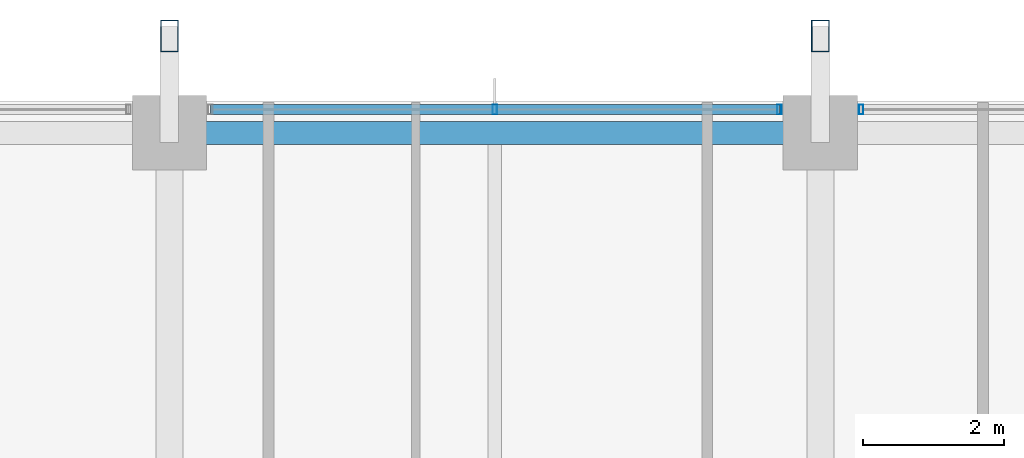
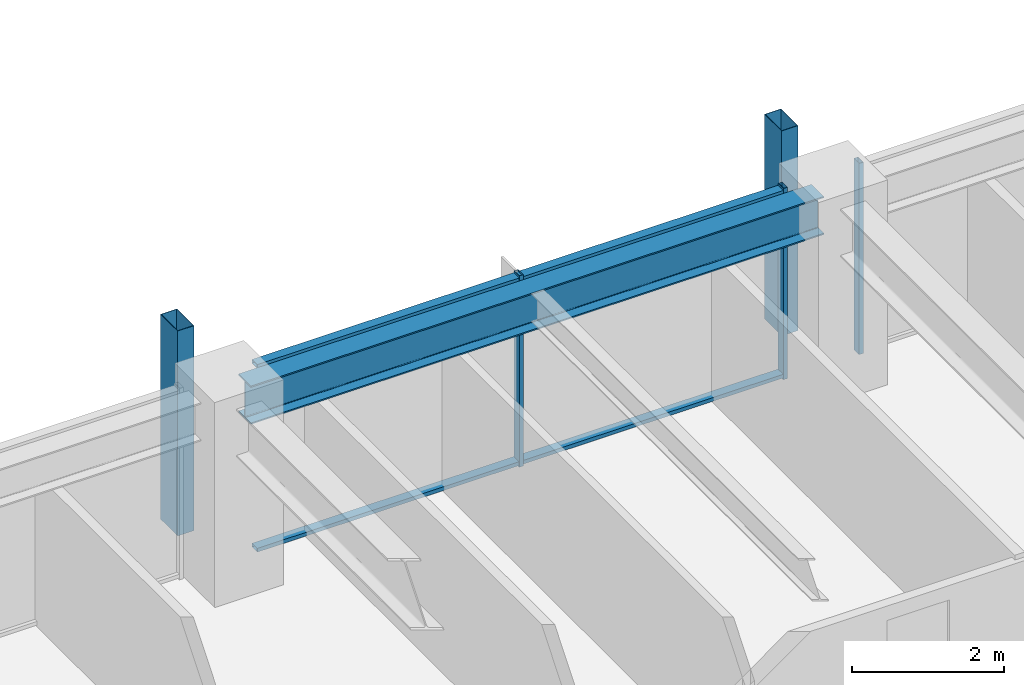
# One storey, part 21 of 37: 7 members, 1 beam, 2 elements without a shape of their own.
"""IFC4 building model written with IfcOpenShell, lengths in metres."""

from ifc_helpers import new_model, si_unit, direction, frame, origin, origin_2d, place, context, subcontext, project, spatial, hollow_rectangle, i_section, extrude, material, material_profile, profile_set, type_object, element, aggregate, save


model = new_model("IFC4")

# Units and contexts
model_context = context("Model", 3, precision=1e-05, world=origin(), true_north=direction((0.0, 1.0)))
body_context = subcontext(model_context, "Body", "Model", "MODEL_VIEW")
ifc_project = project(units=[si_unit("LENGTHUNIT", "METRE"), si_unit("AREAUNIT", "SQUARE_METRE"), si_unit("VOLUMEUNIT", "CUBIC_METRE"), si_unit("PLANEANGLEUNIT", "RADIAN"), si_unit("MASSUNIT", "GRAM", prefix="KILO")], contexts=[model_context])

# Site, building, storey
site_placement = place(None, origin())
site = spatial("IfcSite", under=ifc_project, at=site_placement, CompositionType="ELEMENT")
building_placement = place(site_placement, origin())
building = spatial("IfcBuilding", under=site, at=building_placement, Name="Kolvaren Belvedere", CompositionType="ELEMENT")
storey_placement = place(building_placement, frame((0.0, 0.0, 75.5)))
storey = spatial("IfcBuildingStorey", under=building, at=storey_placement, Name="L21", CompositionType="ELEMENT", Elevation=75.5)

# Beam
ifc_material_1 = material(Name="Structural steel ASTM A992 Grade 50", Category="steel")
ifc_material_profile_1 = material_profile(ifc_material_1, i_section(OverallWidth=0.324951171875, OverallDepth=0.615966796875, WebThickness=0.013916015625, FlangeThickness=0.021484375, FilletRadius=0.02001953125, at=origin_2d()), Name="W24X117")
ifc_profile_set_1 = profile_set([ifc_material_profile_1], Name="Structural steel ASTM A992 Grade 50")
beam_type = type_object("IfcBeamType", Name="BM-SPAN-W24X117", PredefinedType="SPANDREL", material=ifc_profile_set_1)
beam_placement = place(storey_placement, frame((4.36376953125, 19.949951171875, 2.77197265625), z_axis=(-1.0, 0.0, 0.0), x_axis=(0.0, -1.0, 0.0)))
element("IfcBeam", 1, at=beam_placement, inside=storey, type_object=beam_type, Name="L21 Perimeter Spandrel N3-N2", PredefinedType="SPANDREL", context=body_context, shape_type="SweptSolid", body=[
    extrude(i_section(OverallWidth=0.324951171875, OverallDepth=0.615966796875, WebThickness=0.013916015625, FlangeThickness=0.021484375, FilletRadius=0.02001953125, at=origin_2d()), origin(), (0.0, 0.0, 1.0), 8.7275390625),
])

# Curtain wall, members
ifc_material_2 = material(Name="Anodised pale-metal aluminium AA 6063-T6", Category="aluminium")
curtain_wall_type = type_object("IfcCurtainWallType", Name="CW-Z2-MID", PredefinedType="NOTDEFINED", material=ifc_material_2)
curtain_wall_1_placement = place(storey_placement, origin())
curtain_wall_1 = element("IfcCurtainWall", 2, at=curtain_wall_1_placement, inside=storey, type_object=curtain_wall_type, Name="L21 Unitised Curtain Wall FCW-L21-N-B2", PredefinedType="NOTDEFINED")
ifc_material_3 = material(Name="Anodised pale-metal aluminium AA 6063-T6", Category="aluminium")
ifc_material_profile_2 = material_profile(ifc_material_3, hollow_rectangle(XDim=0.06494140625, YDim=0.139892578125, WallThickness=0.00390625, at=origin_2d()), Name="ALU-MUL-140X65")
ifc_profile_set_2 = profile_set([ifc_material_profile_2], Name="Anodised pale-metal aluminium AA 6063-T6")
member_type_1 = type_object("IfcMemberType", Name="CW-MUL-140", PredefinedType="MULLION", material=ifc_profile_set_2)
member_1_placement = place(storey_placement, frame((0.0, 20.280029296875, 0.0), z_axis=(0.0, 0.0, 1.0), x_axis=(1.0, 0.0, 0.0)))
member_1 = element("IfcMember", 3, at=member_1_placement, type_object=member_type_1, Name="FCW-L21-N-B2 Unitised Mullion 2", PredefinedType="MULLION", context=body_context, shape_type="SweptSolid", body=[
    extrude(hollow_rectangle(XDim=0.06494140625, YDim=0.139892578125, WallThickness=0.00390625, at=origin_2d()), origin(), (0.0, 0.0, 1.0), 3.080078125),
])
member_2_placement = place(storey_placement, frame((4.0224609375, 20.280029296875, 0.0), z_axis=(0.0, 0.0, 1.0), x_axis=(1.0, 0.0, 0.0)))
member_2 = element("IfcMember", 4, at=member_2_placement, type_object=member_type_1, Name="FCW-L21-N-B2 Unitised Mullion 3", PredefinedType="MULLION", context=body_context, shape_type="SweptSolid", body=[
    extrude(hollow_rectangle(XDim=0.06494140625, YDim=0.139892578125, WallThickness=0.00390625, at=origin_2d()), origin(), (0.0, 0.0, 1.0), 3.080078125),
])

# Curtain wall, member
curtain_wall_2_placement = place(storey_placement, origin())
curtain_wall_2 = element("IfcCurtainWall", 5, at=curtain_wall_2_placement, inside=storey, type_object=curtain_wall_type, Name="L21 Unitised Curtain Wall FCW-L21-N-B3", PredefinedType="NOTDEFINED")
member_3_placement = place(storey_placement, frame((5.177490234375, 20.280029296875, 0.0), z_axis=(0.0, 0.0, 1.0), x_axis=(1.0, 0.0, 0.0)))
member_3 = element("IfcMember", 6, at=member_3_placement, type_object=member_type_1, Name="FCW-L21-N-B3 Unitised Mullion 1", PredefinedType="MULLION", context=body_context, shape_type="SweptSolid", body=[
    extrude(hollow_rectangle(XDim=0.06494140625, YDim=0.139892578125, WallThickness=0.00390625, at=origin_2d()), origin(), (0.0, 0.0, 1.0), 3.080078125),
])
aggregate(curtain_wall_2, [member_3])

# Member
ifc_material_4 = material(Name="Anodised pale-metal aluminium AA 6063-T6", Category="aluminium")
ifc_material_profile_3 = material_profile(ifc_material_4, hollow_rectangle(XDim=0.06005859375, YDim=0.139892578125, WallThickness=0.00390625, at=origin_2d()), Name="ALU-TRN-140X60")
ifc_profile_set_3 = profile_set([ifc_material_profile_3], Name="Anodised pale-metal aluminium AA 6063-T6")
member_type_2 = type_object("IfcMemberType", Name="CW-TRN-140", PredefinedType="USERDEFINED", material=ifc_profile_set_3)
member_4_placement = place(storey_placement, frame((-4.0224609375, 20.280029296875, 0.06005859375), z_axis=(1.0, 0.0, 0.0), x_axis=(0.0, 0.0, 1.0)))
member_4 = element("IfcMember", 7, at=member_4_placement, type_object=member_type_2, Name="FCW-L21-N-B2 Sill Transom", ObjectType="TRANSOM", PredefinedType="USERDEFINED", context=body_context, shape_type="SweptSolid", body=[
    extrude(hollow_rectangle(XDim=0.06005859375, YDim=0.139892578125, WallThickness=0.00390625, at=origin_2d()), origin(), (0.0, 0.0, 1.0), 8.044921875),
])

member_5_placement = place(storey_placement, frame((-4.0224609375, 20.280029296875, 3.02001953125), z_axis=(1.0, 0.0, 0.0), x_axis=(0.0, 0.0, 1.0)))
member_5 = element("IfcMember", 8, at=member_5_placement, type_object=member_type_2, Name="FCW-L21-N-B2 Head Transom", ObjectType="TRANSOM", PredefinedType="USERDEFINED", context=body_context, shape_type="SweptSolid", body=[
    extrude(hollow_rectangle(XDim=0.06005859375, YDim=0.139892578125, WallThickness=0.00390625, at=origin_2d()), origin(), (0.0, 0.0, 1.0), 8.044921875),
])

aggregate(curtain_wall_1, [member_1, member_2, member_4, member_5])

# Members
ifc_material_5 = material(Name="Anodised pale-metal aluminium AA 6063-T6", Category="aluminium")
ifc_material_profile_4 = material_profile(ifc_material_5, hollow_rectangle(XDim=0.25, YDim=0.449951171875, WallThickness=0.008544921875, at=origin_2d()), Name="ALU-PF-450X250")
ifc_profile_set_4 = profile_set([ifc_material_profile_4], Name="Anodised pale-metal aluminium AA 6063-T6")
member_type_3 = type_object("IfcMemberType", Name="PF-FRAME-450", PredefinedType="USERDEFINED", material=ifc_profile_set_4)
for number, where, z_axis, x_axis, name in (
    (9, (-4.60009765625, 21.320068359375, 0.0), (0.0, 0.0, 1.0), (1.0, 0.0, 0.0), "L21 Outboard Picture-Frame Vertical N1"),
    (10, (4.60009765625, 21.320068359375, 0.0), (0.0, 0.0, 1.0), (1.0, 0.0, 0.0), "L21 Outboard Picture-Frame Vertical N2"),
):
    element("IfcMember", number, at=place(storey_placement, frame(where, z_axis=z_axis, x_axis=x_axis)), inside=storey, type_object=member_type_3, Name=name, ObjectType="PICTURE FRAME FIN", PredefinedType="USERDEFINED", context=body_context, shape_type="SweptSolid", body=[
        extrude(hollow_rectangle(XDim=0.25, YDim=0.449951171875, WallThickness=0.008544921875, at=origin_2d()), origin(), (0.0, 0.0, 1.0), 3.300048828125),
    ])

save(model, "model.ifc")
